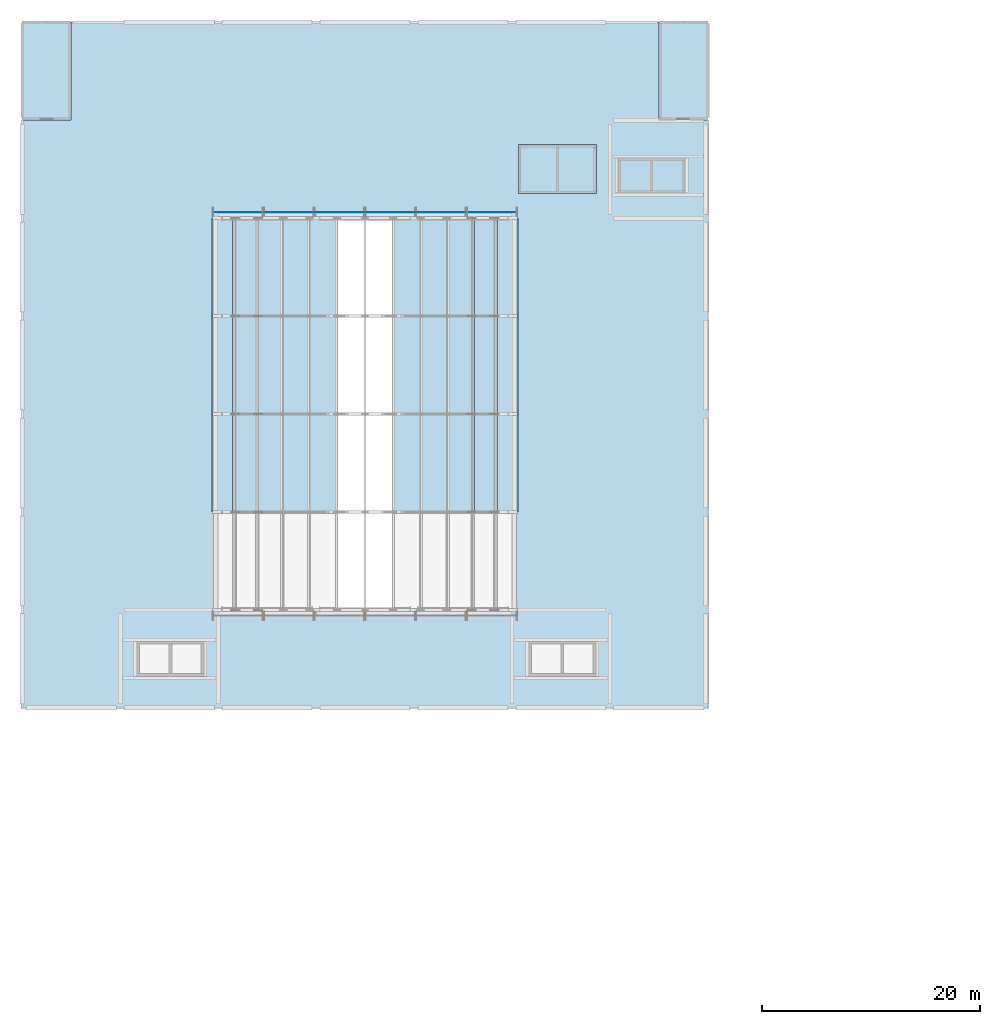
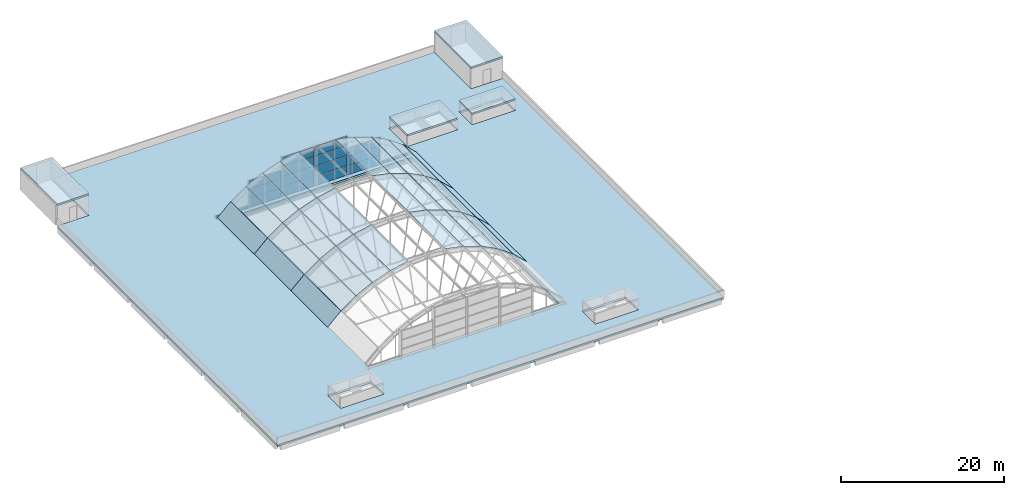
# One storey, part 26 of 43: 46 plates, 5 slabs, 6 elements without a shape of their own.
"""IFC4 building model written with IfcOpenShell, lengths in metres."""

import ifcopenshell
import ifcopenshell.guid

model = None  # the IFC model being written
_history = None  # IfcOwnerHistory: only IFC2X3 demands one
_inside = {}  # id of a spatial element -> (the spatial element, [elements in it])
_under = {}  # id of a project, library or spatial element -> (it, [spatial elements below it])
_declared = {}  # id of a project -> (the project, [libraries it declares])
_typed = {}  # id of a type object -> (the type object, [elements of that type])
_made_of = {}  # id of a material, layer set ... -> (it, [elements and type objects made of it])


def new_model(schema):
    """Start an empty IFC model of exactly this schema.

    Asked for "IFC4X3", IfcOpenShell would pick the latest addendum, in which some entities
    have other attributes; the version numbers below select the first issue.
    IFC2X3 requires an IfcOwnerHistory on every rooted entity: one is made here for all.
    """
    global model, _history
    if schema == "IFC4X3":
        model = ifcopenshell.file(schema_version=(4, 3, 0, 0))
    else:
        model = ifcopenshell.file(schema=schema)
    _inside.clear()
    _under.clear()
    _declared.clear()
    _typed.clear()
    _made_of.clear()
    _history = None
    if model.schema == "IFC2X3":
        org = make("IfcOrganization", Name="unknown")
        user = make(
            "IfcPersonAndOrganization",
            ThePerson=make("IfcPerson", FamilyName="unknown"),
            TheOrganization=org,
        )
        app = make(
            "IfcApplication",
            ApplicationDeveloper=org,
            Version="unknown",
            ApplicationFullName="unknown",
            ApplicationIdentifier="unknown",
        )
        _history = make(
            "IfcOwnerHistory",
            OwningUser=user,
            OwningApplication=app,
            ChangeAction="ADDED",
            CreationDate=0,
        )
    return model


def make(cls, **values):
    """One entity of the class cls with the attributes given. An attribute that is None is left unset."""
    return model.create_entity(
        cls, **{name: value for name, value in values.items() if value is not None}
    )


def rooted(cls, **values):
    """An entity with a GlobalId (a new one), such as an element, a storey or a relation."""
    return make(cls, GlobalId=ifcopenshell.guid.new(), OwnerHistory=_history, **values)


def si_unit(unit_type, name, prefix=None):
    """IfcSIUnit, for example si_unit("LENGTHUNIT", "METRE", prefix="MILLI")."""
    return make("IfcSIUnit", UnitType=unit_type, Prefix=prefix, Name=name)


def assignment(units):
    """IfcUnitAssignment: the units of a project."""
    return None if units is None else make("IfcUnitAssignment", Units=units)


def point(xyz):
    """IfcCartesianPoint."""
    return None if xyz is None else make("IfcCartesianPoint", Coordinates=xyz)


def direction(xyz):
    """IfcDirection."""
    return None if xyz is None else make("IfcDirection", DirectionRatios=xyz)


def frame(location, z_axis=None, x_axis=None):
    """IfcAxis2Placement3D, a coordinate frame: its origin and axes. An axis left out is left unset."""
    return make(
        "IfcAxis2Placement3D",
        Location=point(location),
        Axis=direction(z_axis),
        RefDirection=direction(x_axis),
    )


def frame_2d(location, x_axis=None):
    """IfcAxis2Placement2D, a coordinate frame in the plane: its origin and x axis."""
    return make(
        "IfcAxis2Placement2D", Location=point(location), RefDirection=direction(x_axis)
    )


def origin():
    """The frame at (0, 0, 0) with its axes left unset."""
    return frame((0.0, 0.0, 0.0))


def origin_2d():
    """The frame at (0, 0) in the plane with its x axis left unset."""
    return frame_2d((0.0, 0.0))


def place(relative_to, where):
    """IfcLocalPlacement: puts the frame where relative to a parent placement (None: the world)."""
    return make(
        "IfcLocalPlacement", PlacementRelTo=relative_to, RelativePlacement=where
    )


def context(
    kind, dimensions, precision=None, world=None, true_north=None, identifier=None
):
    """IfcGeometricRepresentationContext, for example the 3D "Model" context."""
    return make(
        "IfcGeometricRepresentationContext",
        ContextIdentifier=identifier,
        ContextType=kind,
        CoordinateSpaceDimension=dimensions,
        Precision=precision,
        WorldCoordinateSystem=world,
        TrueNorth=true_north,
    )


def subcontext(parent, identifier, kind, view, scale=None):
    """IfcGeometricRepresentationSubContext, for example "Body" below "Model"."""
    return make(
        "IfcGeometricRepresentationSubContext",
        ContextIdentifier=identifier,
        ContextType=kind,
        ParentContext=parent,
        TargetScale=scale,
        TargetView=view,
    )


def project(units=None, contexts=None):
    """IfcProject with its units and contexts."""
    return rooted(
        "IfcProject",
        Name="project",
        RepresentationContexts=contexts,
        UnitsInContext=assignment(units),
    )


def spatial(cls, under=None, at=None, **own):
    """A site, building, storey or space (cls), placed at a placement, below another one or the project."""
    s = rooted(cls, ObjectPlacement=at, **own)
    if under is not None:
        _under.setdefault(under.id(), (under, []))[1].append(s)
    return s


def polyline(points):
    """IfcPolyline through the points."""
    return make("IfcPolyline", Points=[point(p) for p in points])


def profile(cls, at=None, kind="AREA", **sizes):
    """A parametric profile (cls). Its sizes go by their IFC names, for example OverallWidth=200.0."""
    return make(cls, ProfileType=kind, Position=at, **sizes)


def rectangle(**sizes):
    """IfcRectangleProfileDef."""
    return profile("IfcRectangleProfileDef", **sizes)


def outline(outer, holes=None, kind="AREA"):
    """IfcArbitraryClosedProfileDef: a profile drawn as a closed curve; with holes, ...WithVoids."""
    if holes is None:
        return make("IfcArbitraryClosedProfileDef", ProfileType=kind, OuterCurve=outer)
    return make(
        "IfcArbitraryProfileDefWithVoids",
        ProfileType=kind,
        OuterCurve=outer,
        InnerCurves=holes,
    )


def extrude(swept, where, along, depth):
    """IfcExtrudedAreaSolid: the profile swept, set in the frame where, extruded along a direction by depth."""
    return make(
        "IfcExtrudedAreaSolid",
        SweptArea=swept,
        Position=where,
        ExtrudedDirection=direction(along),
        Depth=depth,
    )


def shape(context_of_items, identifier, shape_type, items):
    """IfcShapeRepresentation: the items that make up one representation, for example the "Body"."""
    return make(
        "IfcShapeRepresentation",
        ContextOfItems=context_of_items,
        RepresentationIdentifier=identifier,
        RepresentationType=shape_type,
        Items=items,
    )


def material(Name=None, Category=None):
    """IfcMaterial."""
    return make("IfcMaterial", Name=Name, Category=Category)


def layer(
    of_material, thickness, ventilated=None, Name=None, Category=None, Priority=None
):
    """IfcMaterialLayer: one layer of a wall or slab, of a material (None: an air gap)."""
    return make(
        "IfcMaterialLayer",
        Material=of_material,
        LayerThickness=thickness,
        IsVentilated=ventilated,
        Name=Name,
        Category=Category,
        Priority=Priority,
    )


def layer_set(layers, Name=None):
    """IfcMaterialLayerSet."""
    return make("IfcMaterialLayerSet", MaterialLayers=layers, LayerSetName=Name)


def made_of(thing, what):
    """Note that an element or type object is made of a material, layer set ...; save() writes the relation."""
    if what is not None:
        _made_of.setdefault(what.id(), (what, []))[1].append(thing)
    return thing


def type_object(cls, material=None, **own):
    """A type object (cls), such as IfcWallType, which elements share."""
    return made_of(rooted(cls, **own), material)


def element(
    cls,
    number,
    at=None,
    inside=None,
    cuts=None,
    type_object=None,
    material=None,
    context=None,
    identifier="Body",
    shape_type=None,
    held_by="IfcProductDefinitionShape",
    body=None,
    shapes=None,
    **own,
):
    """One element of the class cls, such as IfcWall. Its Tag is "e" and its number.

    at: its placement. inside: the storey or other place that contains it. cuts: it is an
    opening in that element (IfcRelVoidsElement). A single representation is given by context,
    identifier, shape_type and body (its items); several are given by shapes. held_by: the class
    of the entity that holds the representations. save() writes the other relations.
    """
    e = rooted(cls, Tag="e%d" % number, ObjectPlacement=at, **own)
    if body is not None:
        shapes = [shape(context, identifier, shape_type, body)]
    if shapes is not None:
        e.Representation = make(held_by, Representations=shapes)
    if inside is not None:
        _inside.setdefault(inside.id(), (inside, []))[1].append(e)
    if cuts is not None:
        rooted(
            "IfcRelVoidsElement", RelatingBuildingElement=cuts, RelatedOpeningElement=e
        )
    if type_object is not None:
        _typed.setdefault(type_object.id(), (type_object, []))[1].append(e)
    return made_of(e, material)


def aggregate(whole, parts):
    """IfcRelAggregates: a whole, such as a stair, and the parts it consists of."""
    return rooted("IfcRelAggregates", RelatingObject=whole, RelatedObjects=parts)


def save(model, path):
    """Write the relations noted so far, then the file.

    IfcRelAggregates (storeys below a building ...), IfcRelContainedInSpatialStructure (elements
    in a storey), IfcRelDefinesByType, IfcRelAssociatesMaterial and IfcRelDeclares: one each for
    every whole, place, type object, material and project.
    """
    for whole, parts in _under.values():
        aggregate(whole, parts)
    for where, things in _inside.values():
        rooted(
            "IfcRelContainedInSpatialStructure",
            RelatedElements=things,
            RelatingStructure=where,
        )
    for kind, things in _typed.values():
        rooted("IfcRelDefinesByType", RelatedObjects=things, RelatingType=kind)
    for what, things in _made_of.values():
        rooted("IfcRelAssociatesMaterial", RelatedObjects=things, RelatingMaterial=what)
    for by, libraries in _declared.values():
        rooted("IfcRelDeclares", RelatingContext=by, RelatedDefinitions=libraries)
    model.write(path)


model = new_model("IFC4")

# Units and contexts
model_context = context("Model", 3, precision=1e-05, world=origin(), true_north=direction((0.0, 1.0)))
body_context = subcontext(model_context, "Body", "Model", "MODEL_VIEW")
ifc_project = project(units=[si_unit("LENGTHUNIT", "METRE"), si_unit("AREAUNIT", "SQUARE_METRE"), si_unit("VOLUMEUNIT", "CUBIC_METRE"), si_unit("PLANEANGLEUNIT", "RADIAN"), si_unit("MASSUNIT", "GRAM", prefix="KILO")], contexts=[model_context])

# Site, building, storey
site_placement = place(None, origin())
site = spatial("IfcSite", under=ifc_project, at=site_placement, CompositionType="ELEMENT")
building_placement = place(site_placement, origin())
building = spatial("IfcBuilding", under=site, at=building_placement, Name="Guidao Yard Department Store", CompositionType="ELEMENT")
storey_placement = place(building_placement, frame((0.0, 0.0, 28.5)))
storey = spatial("IfcBuildingStorey", under=building, at=storey_placement, Name="L06", CompositionType="ELEMENT", Elevation=28.5)

# Curtain wall, plate
ifc_material_1 = material(Name="Aluminium and glass", Category="aluminium")
ifc_layer_1 = layer(ifc_material_1, 0.159912109375)
ifc_layer_set_1 = layer_set([ifc_layer_1], Name="Gable glazing CW7 1500 module")
curtain_wall_type = type_object("IfcCurtainWallType", Name="Gable glazing CW7 1500 module", PredefinedType="NOTDEFINED", material=ifc_layer_set_1)
curtain_wall_1_placement = place(storey_placement, origin())
curtain_wall_1 = element("IfcCurtainWall", 1, at=curtain_wall_1_placement, inside=storey, type_object=curtain_wall_type, Name="Gable glazing AN1", PredefinedType="NOTDEFINED")
ifc_material_2 = material(Name="Laminated glass", Category="glass")
ifc_layer_2 = layer(ifc_material_2, 0.017578125)
ifc_layer_set_2 = layer_set([ifc_layer_2], Name="Gable glass GG1 laminated 8+8")
plate_type_1 = type_object("IfcPlateType", Name="Gable glass GG1 laminated 8+8", PredefinedType="CURTAIN_PANEL", material=ifc_layer_set_2)
plate_1_placement = place(storey_placement, frame((19.836669921875, 90.5400390625, 0.06005859375), z_axis=(0.0, 0.0, 1.0), x_axis=(1.0, 0.0, 0.0)))
plate_1 = element("IfcPlate", 2, at=plate_1_placement, type_object=plate_type_1, Name="CW-TAN1 panel 1.1", PredefinedType="CURTAIN_PANEL", context=body_context, shape_type="SweptSolid", body=[
    extrude(rectangle(XDim=4.54541015625, YDim=0.017578125, at=origin_2d()), origin(), (0.0, 0.0, 1.0), 0.388671875),
])
aggregate(curtain_wall_1, [plate_1])

# Curtain wall, plates
curtain_wall_2_placement = place(storey_placement, origin())
curtain_wall_2 = element("IfcCurtainWall", 3, at=curtain_wall_2_placement, inside=storey, type_object=curtain_wall_type, Name="Gable glazing AN2", PredefinedType="NOTDEFINED")
plate_2_placement = place(storey_placement, frame((24.501953125, 90.5400390625, 0.06005859375), z_axis=(0.0, 0.0, 1.0), x_axis=(1.0, 0.0, 0.0)))
plate_2 = element("IfcPlate", 4, at=plate_2_placement, type_object=plate_type_1, Name="CW-TAN2 panel 1.1", PredefinedType="CURTAIN_PANEL", context=body_context, shape_type="SweptSolid", body=[
    extrude(rectangle(XDim=4.54541015625, YDim=0.017578125, at=origin_2d()), origin(), (0.0, 0.0, 1.0), 1.29052734375),
])
plate_3_placement = place(storey_placement, frame((24.501953125, 90.5400390625, 1.41064453125), z_axis=(0.0, 0.0, 1.0), x_axis=(1.0, 0.0, 0.0)))
plate_3 = element("IfcPlate", 5, at=plate_3_placement, type_object=plate_type_1, Name="CW-TAN2 panel 1.2", PredefinedType="CURTAIN_PANEL", context=body_context, shape_type="SweptSolid", body=[
    extrude(rectangle(XDim=4.54541015625, YDim=0.017578125, at=origin_2d()), origin(), (0.0, 0.0, 1.0), 1.320556640625),
])
plate_4_placement = place(storey_placement, frame((24.501953125, 90.5400390625, 2.791015625), z_axis=(0.0, 0.0, 1.0), x_axis=(1.0, 0.0, 0.0)))
plate_4 = element("IfcPlate", 6, at=plate_4_placement, type_object=plate_type_1, Name="CW-TAN2 panel 1.3", PredefinedType="CURTAIN_PANEL", context=body_context, shape_type="SweptSolid", body=[
    extrude(rectangle(XDim=4.54541015625, YDim=0.017578125, at=origin_2d()), origin(), (0.0, 0.0, 1.0), 1.29052734375),
])
aggregate(curtain_wall_2, [plate_2, plate_3, plate_4])

curtain_wall_3_placement = place(storey_placement, origin())
curtain_wall_3 = element("IfcCurtainWall", 7, at=curtain_wall_3_placement, inside=storey, type_object=curtain_wall_type, Name="Gable glazing AN3", PredefinedType="NOTDEFINED")
plate_5_placement = place(storey_placement, frame((29.167236328125, 90.5400390625, 0.06005859375), z_axis=(0.0, 0.0, 1.0), x_axis=(1.0, 0.0, 0.0)))
plate_5 = element("IfcPlate", 8, at=plate_5_placement, type_object=plate_type_1, Name="CW-TAN3 panel 1.1", PredefinedType="CURTAIN_PANEL", context=body_context, shape_type="SweptSolid", body=[
    extrude(rectangle(XDim=4.54541015625, YDim=0.017578125, at=origin_2d()), origin(), (0.0, 0.0, 1.0), 1.409912109375),
])
plate_6_placement = place(storey_placement, frame((29.167236328125, 90.5400390625, 1.530029296875), z_axis=(0.0, 0.0, 1.0), x_axis=(1.0, 0.0, 0.0)))
plate_6 = element("IfcPlate", 9, at=plate_6_placement, type_object=plate_type_1, Name="CW-TAN3 panel 1.2", PredefinedType="CURTAIN_PANEL", context=body_context, shape_type="SweptSolid", body=[
    extrude(rectangle(XDim=4.54541015625, YDim=0.017578125, at=origin_2d()), origin(), (0.0, 0.0, 1.0), 1.43994140625),
])
plate_7_placement = place(storey_placement, frame((29.167236328125, 90.5400390625, 3.030029296875), z_axis=(0.0, 0.0, 1.0), x_axis=(1.0, 0.0, 0.0)))
plate_7 = element("IfcPlate", 10, at=plate_7_placement, type_object=plate_type_1, Name="CW-TAN3 panel 1.3", PredefinedType="CURTAIN_PANEL", context=body_context, shape_type="SweptSolid", body=[
    extrude(rectangle(XDim=4.54541015625, YDim=0.017578125, at=origin_2d()), origin(), (0.0, 0.0, 1.0), 1.43994140625),
])
plate_8_placement = place(storey_placement, frame((29.167236328125, 90.5400390625, 4.5302734375), z_axis=(0.0, 0.0, 1.0), x_axis=(1.0, 0.0, 0.0)))
plate_8 = element("IfcPlate", 11, at=plate_8_placement, type_object=plate_type_1, Name="CW-TAN3 panel 1.4", PredefinedType="CURTAIN_PANEL", context=body_context, shape_type="SweptSolid", body=[
    extrude(rectangle(XDim=4.54541015625, YDim=0.017578125, at=origin_2d()), origin(), (0.0, 0.0, 1.0), 1.409912109375),
])
aggregate(curtain_wall_3, [plate_5, plate_6, plate_7, plate_8])

curtain_wall_4_placement = place(storey_placement, origin())
curtain_wall_4 = element("IfcCurtainWall", 12, at=curtain_wall_4_placement, inside=storey, type_object=curtain_wall_type, Name="Gable glazing AN4", PredefinedType="NOTDEFINED")
plate_9_placement = place(storey_placement, frame((33.832763671875, 90.5400390625, 0.06005859375), z_axis=(0.0, 0.0, 1.0), x_axis=(1.0, 0.0, 0.0)))
plate_9 = element("IfcPlate", 13, at=plate_9_placement, type_object=plate_type_1, Name="CW-TAN4 panel 1.1", PredefinedType="CURTAIN_PANEL", context=body_context, shape_type="SweptSolid", body=[
    extrude(rectangle(XDim=4.54541015625, YDim=0.017578125, at=origin_2d()), origin(), (0.0, 0.0, 1.0), 1.409912109375),
])
plate_10_placement = place(storey_placement, frame((33.832763671875, 90.5400390625, 1.530029296875), z_axis=(0.0, 0.0, 1.0), x_axis=(1.0, 0.0, 0.0)))
plate_10 = element("IfcPlate", 14, at=plate_10_placement, type_object=plate_type_1, Name="CW-TAN4 panel 1.2", PredefinedType="CURTAIN_PANEL", context=body_context, shape_type="SweptSolid", body=[
    extrude(rectangle(XDim=4.54541015625, YDim=0.017578125, at=origin_2d()), origin(), (0.0, 0.0, 1.0), 1.43994140625),
])
plate_11_placement = place(storey_placement, frame((33.832763671875, 90.5400390625, 3.030029296875), z_axis=(0.0, 0.0, 1.0), x_axis=(1.0, 0.0, 0.0)))
plate_11 = element("IfcPlate", 15, at=plate_11_placement, type_object=plate_type_1, Name="CW-TAN4 panel 1.3", PredefinedType="CURTAIN_PANEL", context=body_context, shape_type="SweptSolid", body=[
    extrude(rectangle(XDim=4.54541015625, YDim=0.017578125, at=origin_2d()), origin(), (0.0, 0.0, 1.0), 1.43994140625),
])
plate_12_placement = place(storey_placement, frame((33.832763671875, 90.5400390625, 4.5302734375), z_axis=(0.0, 0.0, 1.0), x_axis=(1.0, 0.0, 0.0)))
plate_12 = element("IfcPlate", 16, at=plate_12_placement, type_object=plate_type_1, Name="CW-TAN4 panel 1.4", PredefinedType="CURTAIN_PANEL", context=body_context, shape_type="SweptSolid", body=[
    extrude(rectangle(XDim=4.54541015625, YDim=0.017578125, at=origin_2d()), origin(), (0.0, 0.0, 1.0), 1.409912109375),
])
aggregate(curtain_wall_4, [plate_9, plate_10, plate_11, plate_12])

curtain_wall_5_placement = place(storey_placement, origin())
curtain_wall_5 = element("IfcCurtainWall", 17, at=curtain_wall_5_placement, inside=storey, type_object=curtain_wall_type, Name="Gable glazing AN5", PredefinedType="NOTDEFINED")
plate_13_placement = place(storey_placement, frame((38.498046875, 90.5400390625, 0.06005859375), z_axis=(0.0, 0.0, 1.0), x_axis=(1.0, 0.0, 0.0)))
plate_13 = element("IfcPlate", 18, at=plate_13_placement, type_object=plate_type_1, Name="CW-TAN5 panel 1.1", PredefinedType="CURTAIN_PANEL", context=body_context, shape_type="SweptSolid", body=[
    extrude(rectangle(XDim=4.54541015625, YDim=0.017578125, at=origin_2d()), origin(), (0.0, 0.0, 1.0), 1.29052734375),
])
plate_14_placement = place(storey_placement, frame((38.498046875, 90.5400390625, 1.41064453125), z_axis=(0.0, 0.0, 1.0), x_axis=(1.0, 0.0, 0.0)))
plate_14 = element("IfcPlate", 19, at=plate_14_placement, type_object=plate_type_1, Name="CW-TAN5 panel 1.2", PredefinedType="CURTAIN_PANEL", context=body_context, shape_type="SweptSolid", body=[
    extrude(rectangle(XDim=4.54541015625, YDim=0.017578125, at=origin_2d()), origin(), (0.0, 0.0, 1.0), 1.320556640625),
])
plate_15_placement = place(storey_placement, frame((38.498046875, 90.5400390625, 2.791015625), z_axis=(0.0, 0.0, 1.0), x_axis=(1.0, 0.0, 0.0)))
plate_15 = element("IfcPlate", 20, at=plate_15_placement, type_object=plate_type_1, Name="CW-TAN5 panel 1.3", PredefinedType="CURTAIN_PANEL", context=body_context, shape_type="SweptSolid", body=[
    extrude(rectangle(XDim=4.54541015625, YDim=0.017578125, at=origin_2d()), origin(), (0.0, 0.0, 1.0), 1.29052734375),
])
aggregate(curtain_wall_5, [plate_13, plate_14, plate_15])

# Curtain wall, plate
curtain_wall_6_placement = place(storey_placement, origin())
curtain_wall_6 = element("IfcCurtainWall", 21, at=curtain_wall_6_placement, inside=storey, type_object=curtain_wall_type, Name="Gable glazing AN6", PredefinedType="NOTDEFINED")
plate_16_placement = place(storey_placement, frame((43.163330078125, 90.5400390625, 0.06005859375), z_axis=(0.0, 0.0, 1.0), x_axis=(1.0, 0.0, 0.0)))
plate_16 = element("IfcPlate", 22, at=plate_16_placement, type_object=plate_type_1, Name="CW-TAN6 panel 1.1", PredefinedType="CURTAIN_PANEL", context=body_context, shape_type="SweptSolid", body=[
    extrude(rectangle(XDim=4.54541015625, YDim=0.017578125, at=origin_2d()), origin(), (0.0, 0.0, 1.0), 0.388671875),
])
aggregate(curtain_wall_6, [plate_16])

# Plates
ifc_material_3 = material(Name="Laminated glass", Category="glass")
ifc_layer_3 = layer(ifc_material_3, 0.021484375)
ifc_layer_set_3 = layer_set([ifc_layer_3], Name="Roof glass RG2 laminated fritted 10+10 PVB 1.52")
plate_type_2 = type_object("IfcPlateType", Name="Roof glass RG2 laminated fritted 10+10 PVB 1.52", PredefinedType="SHEET", material=ifc_layer_set_3)
plate_17_placement = place(storey_placement, frame((23.826171875, 63.0, 5.028564453125), z_axis=(-0.335894288517, 0.0, 0.941899690488), x_axis=(0.941899690488, 0.0, 0.335894288517)))
element("IfcPlate", 23, at=plate_17_placement, inside=storey, type_object=plate_type_2, Name="Roof glass A02-04", PredefinedType="SHEET", context=body_context, shape_type="SweptSolid", body=[
    extrude(outline(polyline([(0.0, 0.0), (2.6238840205951743, 0.0), (2.6238840205951743, 9.0), (0.0, 9.0), (0.0, 0.0)])), origin(), (0.0, 0.0, -1.0), 0.021484375),
])
for number, where, z_axis, x_axis, name in (
    (24, (26.300537109375, 63.0, 5.91064453125), (-0.203972808373, 0.0, 0.978976554083), (0.978976554083, 0.0, 0.203972808373), "Roof glass A02-05"),
    (25, (34.12744140625, 63.0, 6.446533203125), (0.203972808373, 0.0, 0.978976554083), (0.978976554083, 0.0, -0.203972808373), "Roof glass A02-08"),
):
    element("IfcPlate", number, at=place(storey_placement, frame(where, z_axis=z_axis, x_axis=x_axis)), inside=storey, type_object=plate_type_2, Name=name, PredefinedType="SHEET", context=body_context, shape_type="SweptSolid", body=[
        extrude(outline(polyline([(0.0, 0.0), (2.627255447178772, 0.0), (2.627255447178772, 9.0), (0.0, 9.0), (0.0, 0.0)])), origin(), (0.0, 0.0, -1.0), 0.021484375),
    ])
for number, where, z_axis, x_axis, name in (
    (26, (36.702392578125, 63.0, 5.909912109375), (0.335894288517, 0.0, 0.941899690488), (0.941899690488, 0.0, -0.335894288517), "Roof glass A02-09"),
    (27, (23.826171875, 72.0, 5.028564453125), (-0.335894288517, 0.0, 0.941899690488), (0.941899690488, 0.0, 0.335894288517), "Roof glass A03-04"),
):
    element("IfcPlate", number, at=place(storey_placement, frame(where, z_axis=z_axis, x_axis=x_axis)), inside=storey, type_object=plate_type_2, Name=name, PredefinedType="SHEET", context=body_context, shape_type="SweptSolid", body=[
        extrude(outline(polyline([(0.0, 0.0), (2.6238840205951743, 0.0), (2.6238840205951743, 9.0), (0.0, 9.0), (0.0, 0.0)])), origin(), (0.0, 0.0, -1.0), 0.021484375),
    ])
for number, where, z_axis, x_axis, name in (
    (28, (26.300537109375, 72.0, 5.91064453125), (-0.203972808373, 0.0, 0.978976554083), (0.978976554083, 0.0, 0.203972808373), "Roof glass A03-05"),
    (29, (34.12744140625, 72.0, 6.446533203125), (0.203972808373, 0.0, 0.978976554083), (0.978976554083, 0.0, -0.203972808373), "Roof glass A03-08"),
):
    element("IfcPlate", number, at=place(storey_placement, frame(where, z_axis=z_axis, x_axis=x_axis)), inside=storey, type_object=plate_type_2, Name=name, PredefinedType="SHEET", context=body_context, shape_type="SweptSolid", body=[
        extrude(outline(polyline([(0.0, 0.0), (2.627255447178772, 0.0), (2.627255447178772, 9.0), (0.0, 9.0), (0.0, 0.0)])), origin(), (0.0, 0.0, -1.0), 0.021484375),
    ])
for number, where, z_axis, x_axis, name in (
    (30, (36.702392578125, 72.0, 5.909912109375), (0.335894288517, 0.0, 0.941899690488), (0.941899690488, 0.0, -0.335894288517), "Roof glass A03-09"),
    (31, (23.826171875, 81.0, 5.028564453125), (-0.335894288517, 0.0, 0.941899690488), (0.941899690488, 0.0, 0.335894288517), "Roof glass A04-04"),
):
    element("IfcPlate", number, at=place(storey_placement, frame(where, z_axis=z_axis, x_axis=x_axis)), inside=storey, type_object=plate_type_2, Name=name, PredefinedType="SHEET", context=body_context, shape_type="SweptSolid", body=[
        extrude(outline(polyline([(0.0, 0.0), (2.6238840205951743, 0.0), (2.6238840205951743, 9.0), (0.0, 9.0), (0.0, 0.0)])), origin(), (0.0, 0.0, -1.0), 0.021484375),
    ])
for number, where, z_axis, x_axis, name in (
    (32, (26.300537109375, 81.0, 5.91064453125), (-0.203972808373, 0.0, 0.978976554083), (0.978976554083, 0.0, 0.203972808373), "Roof glass A04-05"),
    (33, (34.12744140625, 81.0, 6.446533203125), (0.203972808373, 0.0, 0.978976554083), (0.978976554083, 0.0, -0.203972808373), "Roof glass A04-08"),
):
    element("IfcPlate", number, at=place(storey_placement, frame(where, z_axis=z_axis, x_axis=x_axis)), inside=storey, type_object=plate_type_2, Name=name, PredefinedType="SHEET", context=body_context, shape_type="SweptSolid", body=[
        extrude(outline(polyline([(0.0, 0.0), (2.627255447178772, 0.0), (2.627255447178772, 9.0), (0.0, 9.0), (0.0, 0.0)])), origin(), (0.0, 0.0, -1.0), 0.021484375),
    ])
plate_18_placement = place(storey_placement, frame((36.702392578125, 81.0, 5.909912109375), z_axis=(0.335894288517, 0.0, 0.941899690488), x_axis=(0.941899690488, 0.0, -0.335894288517)))
element("IfcPlate", 34, at=plate_18_placement, inside=storey, type_object=plate_type_2, Name="Roof glass A04-09", PredefinedType="SHEET", context=body_context, shape_type="SweptSolid", body=[
    extrude(outline(polyline([(0.0, 0.0), (2.6238840205951743, 0.0), (2.6238840205951743, 9.0), (0.0, 9.0), (0.0, 0.0)])), origin(), (0.0, 0.0, -1.0), 0.021484375),
])
ifc_material_4 = material(Name="Insulated metal panel")
ifc_layer_4 = layer(ifc_material_4, 0.080078125)
ifc_layer_set_4 = layer_set([ifc_layer_4], Name="Roof panel RP1 insulated metal 80 mm")
plate_type_3 = type_object("IfcPlateType", Name="Roof panel RP1 insulated metal 80 mm", PredefinedType="SHEET", material=ifc_layer_set_4)
plate_19_placement = place(storey_placement, frame((17.44921875, 63.0, 0.56689453125), z_axis=(-0.687025902114, 0.0, 0.726632926466), x_axis=(0.726632926466, 0.0, 0.687025902114)))
element("IfcPlate", 35, at=plate_19_placement, inside=storey, type_object=plate_type_3, Name="Roof panel A02-01", PredefinedType="SHEET", context=body_context, shape_type="SweptSolid", body=[
    extrude(outline(polyline([(0.0, 0.0), (2.5827469634541433, 0.0), (2.5827469634541433, 9.0), (0.0, 9.0), (0.0, 0.0)])), origin(), (0.0, 0.0, -1.0), 0.080078125),
])
plate_20_placement = place(storey_placement, frame((19.33447265625, 63.0, 2.34814453125), z_axis=(-0.579814650286, 0.0, 0.814748409826), x_axis=(0.814748409826, 0.0, 0.579814650286)))
element("IfcPlate", 36, at=plate_20_placement, inside=storey, type_object=plate_type_3, Name="Roof panel A02-02", PredefinedType="SHEET", context=body_context, shape_type="SweptSolid", body=[
    extrude(outline(polyline([(0.0, 0.0), (2.6135608312563763, 0.0), (2.6135608312563763, 9.0), (0.0, 9.0), (0.0, 0.0)])), origin(), (0.0, 0.0, -1.0), 0.080078125),
])
for number, where, z_axis, x_axis, name in (
    (37, (21.473388671875, 63.0, 3.869384765625), (-0.461954276603, 0.0, 0.886903741298), (0.886903741298, 0.0, 0.461954276603), "Roof panel A02-03"),
    (38, (39.20361328125, 63.0, 5.079345703125), (0.461954276603, 0.0, 0.886903741298), (0.886903741298, 0.0, -0.461954276603), "Roof panel A02-10"),
):
    element("IfcPlate", number, at=place(storey_placement, frame(where, z_axis=z_axis, x_axis=x_axis)), inside=storey, type_object=plate_type_3, Name=name, PredefinedType="SHEET", context=body_context, shape_type="SweptSolid", body=[
        extrude(outline(polyline([(0.0, 0.0), (2.6192222884018346, 0.0), (2.6192222884018346, 9.0), (0.0, 9.0), (0.0, 0.0)])), origin(), (0.0, 0.0, -1.0), 0.080078125),
    ])
plate_21_placement = place(storey_placement, frame((41.5361328125, 63.0, 3.863525390625), z_axis=(0.579814650286, 0.0, 0.814748409826), x_axis=(0.814748409826, 0.0, -0.579814650286)))
element("IfcPlate", 39, at=plate_21_placement, inside=storey, type_object=plate_type_3, Name="Roof panel A02-11", PredefinedType="SHEET", context=body_context, shape_type="SweptSolid", body=[
    extrude(outline(polyline([(0.0, 0.0), (2.6135608312563763, 0.0), (2.6135608312563763, 9.0), (0.0, 9.0), (0.0, 0.0)])), origin(), (0.0, 0.0, -1.0), 0.080078125),
])
for number, where, z_axis, x_axis, name in (
    (40, (43.674072265625, 63.0, 2.34130859375), (0.687025902114, 0.0, 0.726632926466), (0.726632926466, 0.0, -0.687025902114), "Roof panel A02-12"),
    (41, (17.44921875, 72.0, 0.56689453125), (-0.687025902114, 0.0, 0.726632926466), (0.726632926466, 0.0, 0.687025902114), "Roof panel A03-01"),
):
    element("IfcPlate", number, at=place(storey_placement, frame(where, z_axis=z_axis, x_axis=x_axis)), inside=storey, type_object=plate_type_3, Name=name, PredefinedType="SHEET", context=body_context, shape_type="SweptSolid", body=[
        extrude(outline(polyline([(0.0, 0.0), (2.5827469634541433, 0.0), (2.5827469634541433, 9.0), (0.0, 9.0), (0.0, 0.0)])), origin(), (0.0, 0.0, -1.0), 0.080078125),
    ])
plate_22_placement = place(storey_placement, frame((19.33447265625, 72.0, 2.34814453125), z_axis=(-0.579814650286, 0.0, 0.814748409826), x_axis=(0.814748409826, 0.0, 0.579814650286)))
element("IfcPlate", 42, at=plate_22_placement, inside=storey, type_object=plate_type_3, Name="Roof panel A03-02", PredefinedType="SHEET", context=body_context, shape_type="SweptSolid", body=[
    extrude(outline(polyline([(0.0, 0.0), (2.6135608312563763, 0.0), (2.6135608312563763, 9.0), (0.0, 9.0), (0.0, 0.0)])), origin(), (0.0, 0.0, -1.0), 0.080078125),
])
for number, where, z_axis, x_axis, name in (
    (43, (21.473388671875, 72.0, 3.869384765625), (-0.461954276603, 0.0, 0.886903741298), (0.886903741298, 0.0, 0.461954276603), "Roof panel A03-03"),
    (44, (39.20361328125, 72.0, 5.079345703125), (0.461954276603, 0.0, 0.886903741298), (0.886903741298, 0.0, -0.461954276603), "Roof panel A03-10"),
):
    element("IfcPlate", number, at=place(storey_placement, frame(where, z_axis=z_axis, x_axis=x_axis)), inside=storey, type_object=plate_type_3, Name=name, PredefinedType="SHEET", context=body_context, shape_type="SweptSolid", body=[
        extrude(outline(polyline([(0.0, 0.0), (2.6192222884018346, 0.0), (2.6192222884018346, 9.0), (0.0, 9.0), (0.0, 0.0)])), origin(), (0.0, 0.0, -1.0), 0.080078125),
    ])
plate_23_placement = place(storey_placement, frame((41.5361328125, 72.0, 3.863525390625), z_axis=(0.579814650286, 0.0, 0.814748409826), x_axis=(0.814748409826, 0.0, -0.579814650286)))
element("IfcPlate", 45, at=plate_23_placement, inside=storey, type_object=plate_type_3, Name="Roof panel A03-11", PredefinedType="SHEET", context=body_context, shape_type="SweptSolid", body=[
    extrude(outline(polyline([(0.0, 0.0), (2.6135608312563763, 0.0), (2.6135608312563763, 9.0), (0.0, 9.0), (0.0, 0.0)])), origin(), (0.0, 0.0, -1.0), 0.080078125),
])
for number, where, z_axis, x_axis, name in (
    (46, (43.674072265625, 72.0, 2.34130859375), (0.687025902114, 0.0, 0.726632926466), (0.726632926466, 0.0, -0.687025902114), "Roof panel A03-12"),
    (47, (17.44921875, 81.0, 0.56689453125), (-0.687025902114, 0.0, 0.726632926466), (0.726632926466, 0.0, 0.687025902114), "Roof panel A04-01"),
):
    element("IfcPlate", number, at=place(storey_placement, frame(where, z_axis=z_axis, x_axis=x_axis)), inside=storey, type_object=plate_type_3, Name=name, PredefinedType="SHEET", context=body_context, shape_type="SweptSolid", body=[
        extrude(outline(polyline([(0.0, 0.0), (2.5827469634541433, 0.0), (2.5827469634541433, 9.0), (0.0, 9.0), (0.0, 0.0)])), origin(), (0.0, 0.0, -1.0), 0.080078125),
    ])
plate_24_placement = place(storey_placement, frame((19.33447265625, 81.0, 2.34814453125), z_axis=(-0.579814650286, 0.0, 0.814748409826), x_axis=(0.814748409826, 0.0, 0.579814650286)))
element("IfcPlate", 48, at=plate_24_placement, inside=storey, type_object=plate_type_3, Name="Roof panel A04-02", PredefinedType="SHEET", context=body_context, shape_type="SweptSolid", body=[
    extrude(outline(polyline([(0.0, 0.0), (2.6135608312563763, 0.0), (2.6135608312563763, 9.0), (0.0, 9.0), (0.0, 0.0)])), origin(), (0.0, 0.0, -1.0), 0.080078125),
])
for number, where, z_axis, x_axis, name in (
    (49, (21.473388671875, 81.0, 3.869384765625), (-0.461954276603, 0.0, 0.886903741298), (0.886903741298, 0.0, 0.461954276603), "Roof panel A04-03"),
    (50, (39.20361328125, 81.0, 5.079345703125), (0.461954276603, 0.0, 0.886903741298), (0.886903741298, 0.0, -0.461954276603), "Roof panel A04-10"),
):
    element("IfcPlate", number, at=place(storey_placement, frame(where, z_axis=z_axis, x_axis=x_axis)), inside=storey, type_object=plate_type_3, Name=name, PredefinedType="SHEET", context=body_context, shape_type="SweptSolid", body=[
        extrude(outline(polyline([(0.0, 0.0), (2.6192222884018346, 0.0), (2.6192222884018346, 9.0), (0.0, 9.0), (0.0, 0.0)])), origin(), (0.0, 0.0, -1.0), 0.080078125),
    ])
plate_25_placement = place(storey_placement, frame((41.5361328125, 81.0, 3.863525390625), z_axis=(0.579814650286, 0.0, 0.814748409826), x_axis=(0.814748409826, 0.0, -0.579814650286)))
element("IfcPlate", 51, at=plate_25_placement, inside=storey, type_object=plate_type_3, Name="Roof panel A04-11", PredefinedType="SHEET", context=body_context, shape_type="SweptSolid", body=[
    extrude(outline(polyline([(0.0, 0.0), (2.6135608312563763, 0.0), (2.6135608312563763, 9.0), (0.0, 9.0), (0.0, 0.0)])), origin(), (0.0, 0.0, -1.0), 0.080078125),
])
plate_26_placement = place(storey_placement, frame((43.674072265625, 81.0, 2.34130859375), z_axis=(0.687025902114, 0.0, 0.726632926466), x_axis=(0.726632926466, 0.0, -0.687025902114)))
element("IfcPlate", 52, at=plate_26_placement, inside=storey, type_object=plate_type_3, Name="Roof panel A04-12", PredefinedType="SHEET", context=body_context, shape_type="SweptSolid", body=[
    extrude(outline(polyline([(0.0, 0.0), (2.5827469634541433, 0.0), (2.5827469634541433, 9.0), (0.0, 9.0), (0.0, 0.0)])), origin(), (0.0, 0.0, -1.0), 0.080078125),
])

# Slabs
ifc_material_5 = material(Name="Concrete C35", Category="concrete")
ifc_layer_5 = layer(ifc_material_5, 0.300048828125)
ifc_layer_set_5 = layer_set([ifc_layer_5], Name="Roof slab 300 C35")
slab_type_1 = type_object("IfcSlabType", Name="Roof slab 300 C35", PredefinedType="ROOF", material=ifc_layer_set_5)
slab_1_placement = place(storey_placement, frame((0.0, 0.0, -0.300048828125)))
element("IfcSlab", 53, at=slab_1_placement, inside=storey, type_object=slab_type_1, Name="Slab ROOF-H", PredefinedType="ROOF", context=body_context, shape_type="SweptSolid", body=[
    extrude(outline(polyline([(4.5, 108.0), (58.5, 108.0), (58.5, 99.0), (63.0, 99.0), (63.0, 45.0), (0.0, 45.0), (0.0, 99.0), (4.5, 99.0), (4.5, 108.0)]), holes=[polyline([(13.75, 51.10009765625), (13.5, 51.10009765625), (10.550048828125, 51.10009765625), (10.550048828125, 47.89990234375), (13.5, 47.89990234375), (13.75, 47.89990234375), (16.699951171875, 47.89990234375), (16.699951171875, 51.10009765625), (13.75, 51.10009765625)]), polyline([(52.699951171875, 47.89990234375), (52.699951171875, 51.10009765625), (49.75, 51.10009765625), (49.5, 51.10009765625), (46.550048828125, 51.10009765625), (46.550048828125, 47.89990234375), (49.5, 47.89990234375), (49.75, 47.89990234375), (52.699951171875, 47.89990234375)]), polyline([(18.0, 90.0), (18.0, 54.0), (45.0, 54.0), (45.0, 90.0), (18.0, 90.0)]), polyline([(54.75, 92.300048828125), (57.699951171875, 92.300048828125), (57.949951171875, 92.300048828125), (60.89990234375, 92.300048828125), (60.89990234375, 95.5), (57.949951171875, 95.5), (57.699951171875, 95.5), (54.75, 95.5), (54.75, 92.300048828125)]), polyline([(49.050048828125, 96.75), (45.60009765625, 96.75), (45.60009765625, 92.25), (49.050048828125, 92.25), (49.300048828125, 92.25), (52.75, 92.25), (52.75, 96.75), (49.300048828125, 96.75), (49.050048828125, 96.75)])]), origin(), (0.0, 0.0, 1.0), 0.300048828125),
])
ifc_material_6 = material(Name="Concrete C35", Category="concrete")
ifc_layer_6 = layer(ifc_material_6, 0.25)
ifc_layer_set_6 = layer_set([ifc_layer_6], Name="Roof slab RC 250 C35 head house")
slab_type_2 = type_object("IfcSlabType", Name="Roof slab RC 250 C35 head house", PredefinedType="ROOF", material=ifc_layer_set_6)
slab_2_placement = place(storey_placement, frame((0.0, 0.0, 3.0)))
element("IfcSlab", 54, at=slab_2_placement, inside=storey, type_object=slab_type_2, Name="Stair A5 head roof", PredefinedType="ROOF", context=body_context, shape_type="SweptSolid", body=[
    extrude(outline(polyline([(0.0, 99.0), (4.5, 99.0), (4.5, 108.0), (0.0, 108.0), (0.0, 99.0)])), origin(), (0.0, 0.0, 1.0), 0.25),
])
slab_3_placement = place(storey_placement, frame((0.0, 0.0, 3.0)))
element("IfcSlab", 55, at=slab_3_placement, inside=storey, type_object=slab_type_2, Name="Stair A6 head roof", PredefinedType="ROOF", context=body_context, shape_type="SweptSolid", body=[
    extrude(outline(polyline([(58.5, 99.0), (63.0, 99.0), (63.0, 108.0), (58.5, 108.0), (58.5, 99.0)])), origin(), (0.0, 0.0, 1.0), 0.25),
])
slab_4_placement = place(storey_placement, frame((0.0, 0.0, 1.5)))
element("IfcSlab", 56, at=slab_4_placement, inside=storey, type_object=slab_type_2, Name="Lift overrun cover slab HF1 to HF2", PredefinedType="ROOF", context=body_context, shape_type="SweptSolid", body=[
    extrude(outline(polyline([(54.75, 92.300048828125), (60.89990234375, 92.300048828125), (60.89990234375, 95.5), (54.75, 95.5), (54.75, 92.300048828125)])), origin(), (0.0, 0.0, 1.0), 0.25),
])
slab_5_placement = place(storey_placement, frame((0.0, 0.0, 1.5)))
element("IfcSlab", 57, at=slab_5_placement, inside=storey, type_object=slab_type_2, Name="Lift overrun cover slab HG1 to HG2", PredefinedType="ROOF", context=body_context, shape_type="SweptSolid", body=[
    extrude(outline(polyline([(45.60009765625, 92.25), (52.75, 92.25), (52.75, 96.75), (45.60009765625, 96.75), (45.60009765625, 92.25)])), origin(), (0.0, 0.0, 1.0), 0.25),
])

save(model, "model.ifc")
